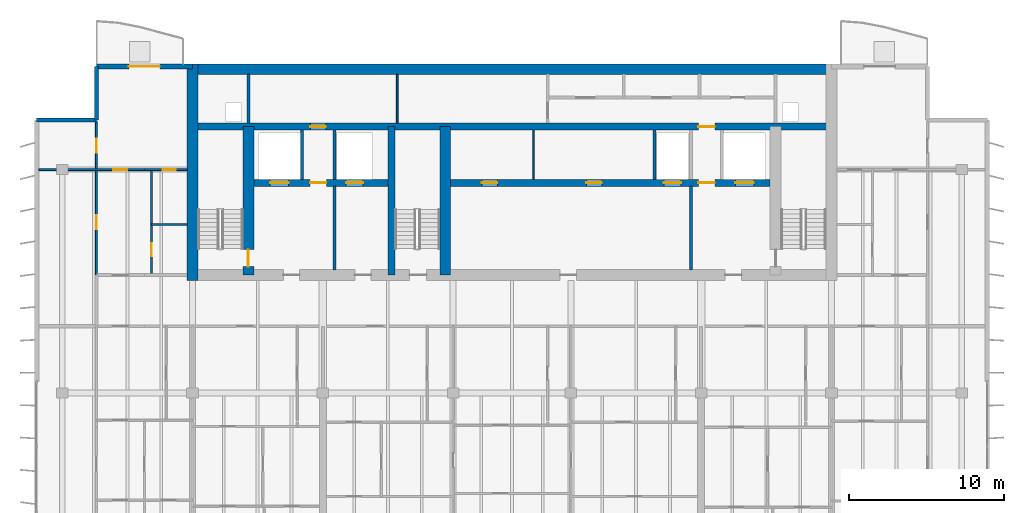
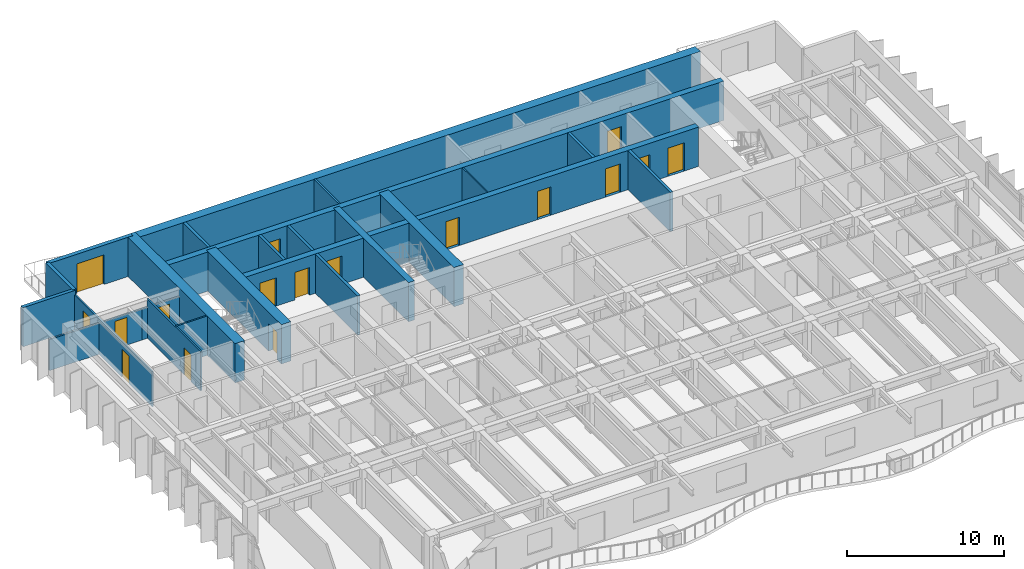
# One storey, part 10 of 17: 23 walls, 17 doors, 17 openings.
"""IFC4 building model written with IfcOpenShell, lengths in metres."""

from ifc_helpers import new_model, si_unit, direction, frame, frame_2d, origin, place, context, subcontext, project, spatial, rectangle, extrude, material, layer, layer_set, type_object, element, fill, save


model = new_model("IFC4")

# Units and contexts
model_context = context("Model", 3, precision=1e-05, world=origin(), true_north=direction((0.0, 1.0)))
body_context = subcontext(model_context, "Body", "Model", "MODEL_VIEW")
ifc_project = project(units=[si_unit("LENGTHUNIT", "METRE"), si_unit("AREAUNIT", "SQUARE_METRE"), si_unit("VOLUMEUNIT", "CUBIC_METRE"), si_unit("PLANEANGLEUNIT", "RADIAN"), si_unit("MASSUNIT", "GRAM", prefix="KILO")], contexts=[model_context])

# Site, building, storey
site_placement = place(None, origin())
site = spatial("IfcSite", under=ifc_project, at=site_placement, CompositionType="ELEMENT")
building_placement = place(site_placement, origin())
building = spatial("IfcBuilding", under=site, at=building_placement, Name="Caelmar Bay Residences", CompositionType="ELEMENT")
storey_placement = place(building_placement, frame((0.0, 0.0, 246.300048828125)))
storey = spatial("IfcBuildingStorey", under=building, at=storey_placement, Name="L69", CompositionType="ELEMENT", Elevation=246.300048828125)

# Wall
ifc_material_1 = material(Name="Concrete f'c 55 MPa (8,000 psi)", Category="concrete")
ifc_layer_1 = layer(ifc_material_1, 0.699951171875)
ifc_layer_set_1 = layer_set([ifc_layer_1], Name="Concrete f'c 55 MPa (8,000 psi)")
wall_type_1 = type_object("IfcWallType", Name="SW-COR-700", PredefinedType="SHEAR", material=ifc_layer_set_1)
wall_1_placement = place(storey_placement, frame((18.300048828125, 36.64990234375, 0.0), z_axis=(0.0, 0.0, 1.0), x_axis=(0.0, 1.0, 0.0)))
element("IfcWall", 1, at=wall_1_placement, inside=storey, type_object=wall_type_1, Name="L69 Rear Core West Shear Wall", PredefinedType="SHEAR", context=body_context, shape_type="SweptSolid", body=[
    extrude(rectangle(XDim=13.9501953125, YDim=0.699951171875, at=frame_2d((6.97509765625, 0.0))), origin(), (0.0, 0.0, 1.0), 3.050048828125),
])

# Wall, opening, door
wall_2_placement = place(storey_placement, frame((21.89990234375, 37.0, 0.0), z_axis=(0.0, 0.0, 1.0), x_axis=(0.0, 1.0, 0.0)))
wall_2 = element("IfcWall", 2, at=wall_2_placement, inside=storey, type_object=wall_type_1, Name="L69 Core Structural Web Wall ST1E", PredefinedType="SHEAR", context=body_context, shape_type="SweptSolid", body=[
    extrude(rectangle(XDim=9.574951171875, YDim=0.699951171875, at=frame_2d((4.78759765625, 0.0))), origin(), (0.0, 0.0, 1.0), 3.050048828125),
])
opening_1_placement = place(wall_2_placement, frame((0.550048828125, 0.0, 0.0)))
opening_1 = element("IfcOpeningElement", 3, at=opening_1_placement, cuts=wall_2, Name="Opening D-L69-107", PredefinedType="OPENING", context=body_context, shape_type="SweptSolid", body=[
    extrude(rectangle(XDim=1.10009765625, YDim=2.14990234375, at=frame_2d((0.550048828125, 1.074951171875))), frame((0.0, 0.35986328125, 0.0), z_axis=(0.0, -1.0, 0.0), x_axis=(1.0, 0.0, 0.0)), (0.0, 0.0, 1.0), 0.719970703125),
])
ifc_material_2 = material(Name="Fire-rated steel and walnut architectural door assembly", Category="steel")
ifc_layer_2 = layer(ifc_material_2, 0.050048828125)
ifc_layer_set_2 = layer_set([ifc_layer_2], Name="Fire-rated steel and walnut architectural door assembly")
door_type_1 = type_object("IfcDoorType", Name="D-STAIR-1100", OperationType="NOTDEFINED", PredefinedType="DOOR", material=ifc_layer_set_2)
door_1_placement = place(opening_1_placement, origin())
door_1 = element("IfcDoor", 4, at=door_1_placement, inside=storey, type_object=door_type_1, Name="L69 Firefighting Lobby West Door", OperationType="SINGLE_SWING_RIGHT", OverallHeight=2.14990234375, OverallWidth=1.10009765625, PredefinedType="DOOR", context=body_context, shape_type="SweptSolid", body=[
    extrude(rectangle(XDim=1.10009765625, YDim=2.14990234375, at=frame_2d((0.550048828125, 1.074951171875))), frame((0.0, 0.02490234375, 0.0), z_axis=(0.0, -1.0, 0.0), x_axis=(1.0, 0.0, 0.0)), (0.0, 0.0, 1.0), 0.050048828125),
])
fill(opening_1, door_1)

# Walls
wall_3_placement = place(storey_placement, frame((34.60009765625, 37.0, 0.0), z_axis=(0.0, 0.0, 1.0), x_axis=(0.0, 1.0, 0.0)))
element("IfcWall", 5, at=wall_3_placement, inside=storey, type_object=wall_type_1, Name="L69 Core Structural Web Wall ST3E", PredefinedType="SHEAR", context=body_context, shape_type="SweptSolid", body=[
    extrude(rectangle(XDim=9.574951171875, YDim=0.699951171875, at=frame_2d((4.78759765625, 0.0))), origin(), (0.0, 0.0, 1.0), 3.050048828125),
])
ifc_layer_3 = layer(ifc_material_1, 0.64990234375)
ifc_layer_set_3 = layer_set([ifc_layer_3], Name="Concrete f'c 55 MPa (8,000 psi)")
wall_type_2 = type_object("IfcWallType", Name="SW-CORN-650", PredefinedType="SHEAR", material=ifc_layer_set_3)
wall_4_placement = place(storey_placement, frame((17.949951171875, 50.27490234375, 0.0), z_axis=(0.0, 0.0, 1.0), x_axis=(1.0, 0.0, 0.0)))
element("IfcWall", 6, at=wall_4_placement, inside=storey, type_object=wall_type_2, Name="L69 Rear Core North Shear Wall", PredefinedType="SHEAR", context=body_context, shape_type="SweptSolid", body=[
    extrude(rectangle(XDim=41.900146484375, YDim=0.64990234375, at=frame_2d((20.9501953125, 0.0))), origin(), (0.0, 0.0, 1.0), 3.050048828125),
])
ifc_material_3 = material(Name="Concrete f'c 70 MPa (10,000 psi)", Category="concrete")
ifc_layer_4 = layer(ifc_material_3, 0.449951171875)
ifc_layer_set_4 = layer_set([ifc_layer_4], Name="Concrete f'c 70 MPa (10,000 psi)")
wall_type_3 = type_object("IfcWallType", Name="SW-WEB-450", PredefinedType="SHEAR", material=ifc_layer_set_4)
wall_5_placement = place(storey_placement, frame((31.125, 37.0, 0.0), z_axis=(0.0, 0.0, 1.0), x_axis=(0.0, 1.0, 0.0)))
element("IfcWall", 7, at=wall_5_placement, inside=storey, type_object=wall_type_3, Name="L69 Core Structural Web Wall ST3W", PredefinedType="SHEAR", context=body_context, shape_type="SweptSolid", body=[
    extrude(rectangle(XDim=9.574951171875, YDim=0.449951171875, at=frame_2d((4.78759765625, 0.0))), origin(), (0.0, 0.0, 1.0), 3.050048828125),
])

# Wall, openings, doors
wall_6_placement = place(storey_placement, frame((22.25, 42.949951171875, 0.0), z_axis=(0.0, 0.0, 1.0), x_axis=(1.0, 0.0, 0.0)))
wall_6 = element("IfcWall", 8, at=wall_6_placement, inside=storey, type_object=wall_type_3, Name="L69 Core Structural Web Wall LFR", PredefinedType="SHEAR", context=body_context, shape_type="SweptSolid", body=[
    extrude(rectangle(XDim=33.300048828125, YDim=0.449951171875, at=frame_2d((16.64990234375, 0.0))), origin(), (0.0, 0.0, 1.0), 3.050048828125),
])
opening_2_placement = place(wall_6_placement, frame((1.050048828125, 0.0, 0.0)))
opening_2 = element("IfcOpeningElement", 9, at=opening_2_placement, cuts=wall_6, Name="Opening LD2", PredefinedType="OPENING", context=body_context, shape_type="SweptSolid", body=[
    extrude(rectangle(XDim=1.199951171875, YDim=2.199951171875, at=frame_2d((0.60009765625, 1.10009765625))), frame((0.0, 0.23486328125, 0.0), z_axis=(0.0, -1.0, 0.0), x_axis=(1.0, 0.0, 0.0)), (0.0, 0.0, 1.0), 0.469970703125),
])
opening_3_placement = place(wall_6_placement, frame((31.050048828125, 0.0, 0.0)))
opening_3 = element("IfcOpeningElement", 10, at=opening_3_placement, cuts=wall_6, Name="Opening LD2", PredefinedType="OPENING", context=body_context, shape_type="SweptSolid", body=[
    extrude(rectangle(XDim=1.199951171875, YDim=2.199951171875, at=frame_2d((0.60009765625, 1.10009765625))), frame((0.0, 0.23486328125, 0.0), z_axis=(0.0, -1.0, 0.0), x_axis=(1.0, 0.0, 0.0)), (0.0, 0.0, 1.0), 0.469970703125),
])
opening_4_placement = place(wall_6_placement, frame((26.449951171875, 0.0, 0.0)))
opening_4 = element("IfcOpeningElement", 11, at=opening_4_placement, cuts=wall_6, Name="Opening LD1", PredefinedType="OPENING", context=body_context, shape_type="SweptSolid", body=[
    extrude(rectangle(XDim=1.10009765625, YDim=2.199951171875, at=frame_2d((0.550048828125, 1.10009765625))), frame((0.0, 0.23486328125, 0.0), z_axis=(0.0, -1.0, 0.0), x_axis=(1.0, 0.0, 0.0)), (0.0, 0.0, 1.0), 0.469970703125),
])
opening_5_placement = place(wall_6_placement, frame((5.949951171875, 0.0, 0.0)))
opening_5 = element("IfcOpeningElement", 12, at=opening_5_placement, cuts=wall_6, Name="Opening LD1", PredefinedType="OPENING", context=body_context, shape_type="SweptSolid", body=[
    extrude(rectangle(XDim=1.10009765625, YDim=2.199951171875, at=frame_2d((0.550048828125, 1.10009765625))), frame((0.0, 0.23486328125, 0.0), z_axis=(0.0, -1.0, 0.0), x_axis=(1.0, 0.0, 0.0)), (0.0, 0.0, 1.0), 0.469970703125),
])
opening_6_placement = place(wall_6_placement, frame((3.625, 0.0, 0.0)))
opening_6 = element("IfcOpeningElement", 13, at=opening_6_placement, cuts=wall_6, Name="Opening D-L69-108", PredefinedType="OPENING", context=body_context, shape_type="SweptSolid", body=[
    extrude(rectangle(XDim=1.050048828125, YDim=2.14990234375, at=frame_2d((0.52490234375, 1.074951171875))), frame((0.0, 0.23486328125, 0.0), z_axis=(0.0, -1.0, 0.0), x_axis=(1.0, 0.0, 0.0)), (0.0, 0.0, 1.0), 0.469970703125),
])
opening_7_placement = place(wall_6_placement, frame((28.675048828125, 0.0, 0.0)))
opening_7 = element("IfcOpeningElement", 14, at=opening_7_placement, cuts=wall_6, Name="Opening D-L69-111", PredefinedType="OPENING", context=body_context, shape_type="SweptSolid", body=[
    extrude(rectangle(XDim=1.050048828125, YDim=2.14990234375, at=frame_2d((0.52490234375, 1.074951171875))), frame((0.0, 0.23486328125, 0.0), z_axis=(0.0, -1.0, 0.0), x_axis=(1.0, 0.0, 0.0)), (0.0, 0.0, 1.0), 0.469970703125),
])
opening_8_placement = place(wall_6_placement, frame((14.699951171875, 0.0, 0.0)))
opening_8 = element("IfcOpeningElement", 15, at=opening_8_placement, cuts=wall_6, Name="Opening D-L69-114", PredefinedType="OPENING", context=body_context, shape_type="SweptSolid", body=[
    extrude(rectangle(XDim=1.0, YDim=2.199951171875, at=frame_2d((0.5, 1.10009765625))), frame((0.0, 0.23486328125, 0.0), z_axis=(0.0, -1.0, 0.0), x_axis=(1.0, 0.0, 0.0)), (0.0, 0.0, 1.0), 0.469970703125),
])
opening_9_placement = place(wall_6_placement, frame((21.449951171875, 0.0, 0.0)))
opening_9 = element("IfcOpeningElement", 16, at=opening_9_placement, cuts=wall_6, Name="Opening D-L69-115", PredefinedType="OPENING", context=body_context, shape_type="SweptSolid", body=[
    extrude(rectangle(XDim=1.0, YDim=2.199951171875, at=frame_2d((0.5, 1.10009765625))), frame((0.0, 0.23486328125, 0.0), z_axis=(0.0, -1.0, 0.0), x_axis=(1.0, 0.0, 0.0)), (0.0, 0.0, 1.0), 0.469970703125),
])
ifc_layer_5 = layer(ifc_material_2, 0.050048828125)
ifc_layer_set_5 = layer_set([ifc_layer_5], Name="Fire-rated steel and walnut architectural door assembly")
door_type_2 = type_object("IfcDoorType", Name="D-FSAE-1050", OperationType="NOTDEFINED", PredefinedType="DOOR", material=ifc_layer_set_5)
door_2_placement = place(opening_6_placement, origin())
door_2 = element("IfcDoor", 17, at=door_2_placement, inside=storey, type_object=door_type_2, Name="L69 Firefighting Lobby West Door", OperationType="SINGLE_SWING_LEFT", OverallHeight=2.14990234375, OverallWidth=1.050048828125, PredefinedType="DOOR", context=body_context, shape_type="SweptSolid", body=[
    extrude(rectangle(XDim=1.050048828125, YDim=2.14990234375, at=frame_2d((0.52490234375, 1.074951171875))), frame((0.0, 0.02490234375, 0.0), z_axis=(0.0, -1.0, 0.0), x_axis=(1.0, 0.0, 0.0)), (0.0, 0.0, 1.0), 0.050048828125),
])
fill(opening_6, door_2)
door_3_placement = place(opening_7_placement, origin())
door_3 = element("IfcDoor", 18, at=door_3_placement, inside=storey, type_object=door_type_2, Name="L69 Firefighting Lobby East Door", OperationType="SINGLE_SWING_RIGHT", OverallHeight=2.14990234375, OverallWidth=1.050048828125, PredefinedType="DOOR", context=body_context, shape_type="SweptSolid", body=[
    extrude(rectangle(XDim=1.050048828125, YDim=2.14990234375, at=frame_2d((0.52490234375, 1.074951171875))), frame((0.0, 0.02490234375, 0.0), z_axis=(0.0, -1.0, 0.0), x_axis=(1.0, 0.0, 0.0)), (0.0, 0.0, 1.0), 0.050048828125),
])
fill(opening_7, door_3)
ifc_material_4 = material(Name="Brushed bronze stainless-steel fire-rated lift landing doors", Category="steel")
ifc_layer_6 = layer(ifc_material_4, 0.050048828125)
ifc_layer_set_6 = layer_set([ifc_layer_6], Name="Brushed bronze stainless-steel fire-rated lift landing doors")
door_type_3 = type_object("IfcDoorType", Name="D-LND-1100", OperationType="DOUBLE_DOOR_SLIDING", PredefinedType="DOOR", material=ifc_layer_set_6)
door_4_placement = place(opening_4_placement, origin())
door_4 = element("IfcDoor", 19, at=door_4_placement, inside=storey, type_object=door_type_3, Name="L69 LP6 Sliding Landing Door", OperationType="DOUBLE_DOOR_SLIDING", OverallHeight=2.199951171875, OverallWidth=1.10009765625, PredefinedType="DOOR", context=body_context, shape_type="SweptSolid", body=[
    extrude(rectangle(XDim=1.10009765625, YDim=2.199951171875, at=frame_2d((0.550048828125, 1.10009765625))), frame((0.0, 0.02490234375, 0.0), z_axis=(0.0, -1.0, 0.0), x_axis=(1.0, 0.0, 0.0)), (0.0, 0.0, 1.0), 0.050048828125),
])
fill(opening_4, door_4)
door_5_placement = place(opening_5_placement, origin())
door_5 = element("IfcDoor", 20, at=door_5_placement, inside=storey, type_object=door_type_3, Name="L69 LP7 Sliding Landing Door", OperationType="DOUBLE_DOOR_SLIDING", OverallHeight=2.199951171875, OverallWidth=1.10009765625, PredefinedType="DOOR", context=body_context, shape_type="SweptSolid", body=[
    extrude(rectangle(XDim=1.10009765625, YDim=2.199951171875, at=frame_2d((0.550048828125, 1.10009765625))), frame((0.0, 0.02490234375, 0.0), z_axis=(0.0, -1.0, 0.0), x_axis=(1.0, 0.0, 0.0)), (0.0, 0.0, 1.0), 0.050048828125),
])
fill(opening_5, door_5)
ifc_material_5 = material(Name="Brushed stainless-steel FSAE sliding landing door", Category="steel")
ifc_layer_7 = layer(ifc_material_5, 0.050048828125)
ifc_layer_set_7 = layer_set([ifc_layer_7], Name="Brushed stainless-steel FSAE sliding landing door")
door_type_4 = type_object("IfcDoorType", Name="D-LND-1200", OperationType="DOUBLE_DOOR_SLIDING", PredefinedType="DOOR", material=ifc_layer_set_7)
door_6_placement = place(opening_2_placement, origin())
door_6 = element("IfcDoor", 21, at=door_6_placement, inside=storey, type_object=door_type_4, Name="L69 LF1 Sliding Landing Door", OperationType="DOUBLE_DOOR_SLIDING", OverallHeight=2.199951171875, OverallWidth=1.199951171875, PredefinedType="DOOR", context=body_context, shape_type="SweptSolid", body=[
    extrude(rectangle(XDim=1.199951171875, YDim=2.199951171875, at=frame_2d((0.60009765625, 1.10009765625))), frame((0.0, 0.02490234375, 0.0), z_axis=(0.0, -1.0, 0.0), x_axis=(1.0, 0.0, 0.0)), (0.0, 0.0, 1.0), 0.050048828125),
])
fill(opening_2, door_6)
door_7_placement = place(opening_3_placement, origin())
door_7 = element("IfcDoor", 22, at=door_7_placement, inside=storey, type_object=door_type_4, Name="L69 LF2 Sliding Landing Door", OperationType="DOUBLE_DOOR_SLIDING", OverallHeight=2.199951171875, OverallWidth=1.199951171875, PredefinedType="DOOR", context=body_context, shape_type="SweptSolid", body=[
    extrude(rectangle(XDim=1.199951171875, YDim=2.199951171875, at=frame_2d((0.60009765625, 1.10009765625))), frame((0.0, 0.02490234375, 0.0), z_axis=(0.0, -1.0, 0.0), x_axis=(1.0, 0.0, 0.0)), (0.0, 0.0, 1.0), 0.050048828125),
])
fill(opening_3, door_7)
ifc_layer_8 = layer(ifc_material_2, 0.050048828125)
ifc_layer_set_8 = layer_set([ifc_layer_8], Name="Fire-rated steel and walnut architectural door assembly")
door_type_5 = type_object("IfcDoorType", Name="D-UNIT-1000", OperationType="NOTDEFINED", PredefinedType="DOOR", material=ifc_layer_set_8)
door_8_placement = place(opening_8_placement, origin())
door_8 = element("IfcDoor", 23, at=door_8_placement, inside=storey, type_object=door_type_5, Name="L69 Executive Study Door", OperationType="SINGLE_SWING_LEFT", OverallHeight=2.199951171875, OverallWidth=1.0, PredefinedType="DOOR", context=body_context, shape_type="SweptSolid", body=[
    extrude(rectangle(XDim=1.0, YDim=2.199951171875, at=frame_2d((0.5, 1.10009765625))), frame((0.0, 0.02490234375, 0.0), z_axis=(0.0, -1.0, 0.0), x_axis=(1.0, 0.0, 0.0)), (0.0, 0.0, 1.0), 0.050048828125),
])
fill(opening_8, door_8)
door_9_placement = place(opening_9_placement, origin())
door_9 = element("IfcDoor", 24, at=door_9_placement, inside=storey, type_object=door_type_5, Name="L69 Residents Reading Lounge Door", OperationType="SINGLE_SWING_RIGHT", OverallHeight=2.199951171875, OverallWidth=1.0, PredefinedType="DOOR", context=body_context, shape_type="SweptSolid", body=[
    extrude(rectangle(XDim=1.0, YDim=2.199951171875, at=frame_2d((0.5, 1.10009765625))), frame((0.0, 0.02490234375, 0.0), z_axis=(0.0, -1.0, 0.0), x_axis=(1.0, 0.0, 0.0)), (0.0, 0.0, 1.0), 0.050048828125),
])
fill(opening_9, door_9)

wall_7_placement = place(storey_placement, frame((18.300048828125, 46.574951171875, 0.0), z_axis=(0.0, 0.0, 1.0), x_axis=(1.0, 0.0, 0.0)))
wall_7 = element("IfcWall", 25, at=wall_7_placement, inside=storey, type_object=wall_type_3, Name="L69 Core Structural Web Wall SRVS", PredefinedType="SHEAR", context=body_context, shape_type="SweptSolid", body=[
    extrude(rectangle(XDim=41.199951171875, YDim=0.449951171875, at=frame_2d((20.60009765625, 0.0))), origin(), (0.0, 0.0, 1.0), 3.050048828125),
])
opening_10_placement = place(wall_7_placement, frame((7.60009765625, 0.0, 0.0)))
opening_10 = element("IfcOpeningElement", 26, at=opening_10_placement, cuts=wall_7, Name="Opening D-L69-116", PredefinedType="OPENING", context=body_context, shape_type="SweptSolid", body=[
    extrude(rectangle(XDim=1.0, YDim=2.199951171875, at=frame_2d((0.5, 1.10009765625))), frame((0.0, 0.23486328125, 0.0), z_axis=(0.0, -1.0, 0.0), x_axis=(1.0, 0.0, 0.0)), (0.0, 0.0, 1.0), 0.469970703125),
])
opening_11_placement = place(wall_7_placement, frame((32.625, 0.0, 0.0)))
opening_11 = element("IfcOpeningElement", 27, at=opening_11_placement, cuts=wall_7, Name="Opening D-L69-117", PredefinedType="OPENING", context=body_context, shape_type="SweptSolid", body=[
    extrude(rectangle(XDim=1.050048828125, YDim=2.14990234375, at=frame_2d((0.52490234375, 1.074951171875))), frame((0.0, 0.23486328125, 0.0), z_axis=(0.0, -1.0, 0.0), x_axis=(1.0, 0.0, 0.0)), (0.0, 0.0, 1.0), 0.469970703125),
])
door_10_placement = place(opening_11_placement, origin())
door_10 = element("IfcDoor", 28, at=door_10_placement, inside=storey, type_object=door_type_2, Name="L69 East Core Service Corridor Door", OperationType="SINGLE_SWING_RIGHT", OverallHeight=2.14990234375, OverallWidth=1.050048828125, PredefinedType="DOOR", context=body_context, shape_type="SweptSolid", body=[
    extrude(rectangle(XDim=1.050048828125, YDim=2.14990234375, at=frame_2d((0.52490234375, 1.074951171875))), frame((0.0, 0.02490234375, 0.0), z_axis=(0.0, -1.0, 0.0), x_axis=(1.0, 0.0, 0.0)), (0.0, 0.0, 1.0), 0.050048828125),
])
fill(opening_11, door_10)
door_11_placement = place(opening_10_placement, origin())
door_11 = element("IfcDoor", 29, at=door_11_placement, inside=storey, type_object=door_type_5, Name="L69 Package Concierge Office Door", OperationType="SINGLE_SWING_LEFT", OverallHeight=2.199951171875, OverallWidth=1.0, PredefinedType="DOOR", context=body_context, shape_type="SweptSolid", body=[
    extrude(rectangle(XDim=1.0, YDim=2.199951171875, at=frame_2d((0.5, 1.10009765625))), frame((0.0, 0.02490234375, 0.0), z_axis=(0.0, -1.0, 0.0), x_axis=(1.0, 0.0, 0.0)), (0.0, 0.0, 1.0), 0.050048828125),
])
fill(opening_10, door_11)

# Walls
ifc_material_6 = material(Name="Precast concrete f'c 40 MPa (6,000 psi)", Category="concrete")
ifc_layer_9 = layer(ifc_material_6, 0.25)
ifc_layer_set_9 = layer_set([ifc_layer_9], Name="Precast concrete f'c 40 MPa (6,000 psi)")
wall_type_4 = type_object("IfcWallType", Name="W-EXT-250", PredefinedType="ELEMENTEDWALL", material=ifc_layer_set_9)
wall_8_placement = place(storey_placement, frame((8.25, 47.0, 0.0), z_axis=(0.0, 0.0, 1.0), x_axis=(1.0, 0.0, 0.0)))
element("IfcWall", 30, at=wall_8_placement, inside=storey, type_object=wall_type_4, Name="L69 NNW-H Notch Wall", PredefinedType="ELEMENTEDWALL", context=body_context, shape_type="SweptSolid", body=[
    extrude(rectangle(XDim=3.85009765625, YDim=0.25, at=frame_2d((1.925048828125, 0.0))), origin(), (0.0, 0.0, 1.0), 3.050048828125),
])
wall_9_placement = place(storey_placement, frame((12.10009765625, 47.0, 0.0), z_axis=(0.0, 0.0, 1.0), x_axis=(0.0, 1.0, 0.0)))
element("IfcWall", 31, at=wall_9_placement, inside=storey, type_object=wall_type_4, Name="L69 NNW-V Notch Wall", PredefinedType="ELEMENTEDWALL", context=body_context, shape_type="SweptSolid", body=[
    extrude(rectangle(XDim=3.449951171875, YDim=0.25, at=frame_2d((1.72509765625, 0.0))), origin(), (0.0, 0.0, 1.0), 3.050048828125),
])

# Wall, opening, door
ifc_layer_10 = layer(ifc_material_6, 0.300048828125)
ifc_layer_set_10 = layer_set([ifc_layer_10], Name="Precast concrete f'c 40 MPa (6,000 psi)")
wall_type_5 = type_object("IfcWallType", Name="W-EXT-300", PredefinedType="STANDARD", material=ifc_layer_set_10)
wall_10_placement = place(storey_placement, frame((12.10009765625, 50.449951171875, 0.0), z_axis=(0.0, 0.0, 1.0), x_axis=(1.0, 0.0, 0.0)))
wall_10 = element("IfcWall", 32, at=wall_10_placement, inside=storey, type_object=wall_type_5, Name="L69 North-West Wing Exterior Wall", PredefinedType="STANDARD", context=body_context, shape_type="SweptSolid", body=[
    extrude(rectangle(XDim=6.199951171875, YDim=0.300048828125, at=frame_2d((3.10009765625, 0.0))), origin(), (0.0, 0.0, 1.0), 3.050048828125),
])
opening_12_placement = place(wall_10_placement, frame((2.10009765625, 0.0, 0.0)))
opening_12 = element("IfcOpeningElement", 33, at=opening_12_placement, cuts=wall_10, Name="Opening L69-BDNW", PredefinedType="OPENING", context=body_context, shape_type="SweptSolid", body=[
    extrude(rectangle(XDim=2.0, YDim=2.300048828125, at=frame_2d((1.0, 1.14990234375))), frame((0.0, 0.159912109375, 0.0), z_axis=(0.0, -1.0, 0.0), x_axis=(1.0, 0.0, 0.0)), (0.0, 0.0, 1.0), 0.320068359375),
])
ifc_material_7 = material(Name="Anodised bronze thermally broken sliding glass door", Category="glass")
ifc_layer_11 = layer(ifc_material_7, 0.050048828125)
ifc_layer_set_11 = layer_set([ifc_layer_11], Name="Anodised bronze thermally broken sliding glass door")
door_type_6 = type_object("IfcDoorType", Name="D-BAL-2000", OperationType="DOUBLE_DOOR_SLIDING", PredefinedType="DOOR", material=ifc_layer_set_11)
door_12_placement = place(opening_12_placement, origin())
door_12 = element("IfcDoor", 34, at=door_12_placement, inside=storey, type_object=door_type_6, Name="L69 North-West Balcony Door", OperationType="DOUBLE_DOOR_SLIDING", OverallHeight=2.300048828125, OverallWidth=2.0, PredefinedType="DOOR", context=body_context, shape_type="SweptSolid", body=[
    extrude(rectangle(XDim=2.0, YDim=2.300048828125, at=frame_2d((1.0, 1.14990234375))), frame((0.0, 0.02490234375, 0.0), z_axis=(0.0, -1.0, 0.0), x_axis=(1.0, 0.0, 0.0)), (0.0, 0.0, 1.0), 0.050048828125),
])
fill(opening_12, door_12)

# Walls
ifc_material_8 = material(Name="Fire-rated masonry and gypsum shaftliner assembly 200 mm", Category="masonry")
ifc_layer_12 = layer(ifc_material_8, 0.199951171875)
ifc_layer_set_12 = layer_set([ifc_layer_12], Name="Fire-rated masonry and gypsum shaftliner assembly 200 mm")
wall_type_6 = type_object("IfcWallType", Name="W-FSAE-200", PredefinedType="PARTITIONING", material=ifc_layer_set_12)
wall_11_placement = place(storey_placement, frame((21.89990234375, 46.794921875, 0.0), z_axis=(0.0, 0.0, 1.0), x_axis=(0.0, 1.0, 0.0)))
element("IfcWall", 35, at=wall_11_placement, inside=storey, type_object=wall_type_6, Name="L69 Partition Wall V021", PredefinedType="PARTITIONING", context=body_context, shape_type="SweptSolid", body=[
    extrude(rectangle(XDim=3.16015625, YDim=0.199951171875, at=frame_2d((1.580078125, 0.0))), origin(), (0.0, 0.0, 1.0), 3.050048828125),
])
wall_12_placement = place(storey_placement, frame((25.35009765625, 43.169921875, 0.0), z_axis=(0.0, 0.0, 1.0), x_axis=(0.0, 1.0, 0.0)))
element("IfcWall", 36, at=wall_12_placement, inside=storey, type_object=wall_type_6, Name="L69 Partition Wall V028", PredefinedType="PARTITIONING", context=body_context, shape_type="SweptSolid", body=[
    extrude(rectangle(XDim=3.18505859375, YDim=0.199951171875, at=frame_2d((1.592529296875, 0.0))), origin(), (0.0, 0.0, 1.0), 3.050048828125),
])
wall_13_placement = place(storey_placement, frame((27.449951171875, 37.344970703125, 0.0), z_axis=(0.0, 0.0, 1.0), x_axis=(0.0, 1.0, 0.0)))
element("IfcWall", 37, at=wall_13_placement, inside=storey, type_object=wall_type_6, Name="L69 Partition Wall V032", PredefinedType="PARTITIONING", context=body_context, shape_type="SweptSolid", body=[
    extrude(rectangle(XDim=5.385009765625, YDim=0.199951171875, at=frame_2d((2.6923828125, 0.0))), origin(), (0.0, 0.0, 1.0), 3.050048828125),
])
for number, where, z_axis, x_axis, name in (
    (38, (27.449951171875, 43.169921875, 0.0), (0.0, 0.0, 1.0), (0.0, 1.0, 0.0), "L69 Partition Wall V033"),
    (39, (48.10009765625, 43.169921875, 0.0), (0.0, 0.0, 1.0), (0.0, 1.0, 0.0), "L69 Partition Wall V055"),
):
    element("IfcWall", number, at=place(storey_placement, frame(where, z_axis=z_axis, x_axis=x_axis)), inside=storey, type_object=wall_type_6, Name=name, PredefinedType="PARTITIONING", context=body_context, shape_type="SweptSolid", body=[
        extrude(rectangle(XDim=3.18505859375, YDim=0.199951171875, at=frame_2d((1.592529296875, 0.0))), origin(), (0.0, 0.0, 1.0), 3.050048828125),
    ])
wall_14_placement = place(storey_placement, frame((50.449951171875, 37.344970703125, 0.0), z_axis=(0.0, 0.0, 1.0), x_axis=(0.0, 1.0, 0.0)))
element("IfcWall", 40, at=wall_14_placement, inside=storey, type_object=wall_type_6, Name="L69 Partition Wall V057", PredefinedType="PARTITIONING", context=body_context, shape_type="SweptSolid", body=[
    extrude(rectangle(XDim=5.385009765625, YDim=0.199951171875, at=frame_2d((2.6923828125, 0.0))), origin(), (0.0, 0.0, 1.0), 3.050048828125),
])
ifc_material_9 = material(Name="Anodised bronze framed acoustic sliding study partition 100 mm")
ifc_layer_13 = layer(ifc_material_9, 0.10009765625)
ifc_layer_set_13 = layer_set([ifc_layer_13], Name="Anodised bronze framed acoustic sliding study partition 100 mm")
wall_type_7 = type_object("IfcWallType", Name="W-MOV-100", PredefinedType="MOVABLE", material=ifc_layer_set_13)
wall_15_placement = place(storey_placement, frame((40.300048828125, 43.169921875, 0.0), z_axis=(0.0, 0.0, 1.0), x_axis=(0.0, 1.0, 0.0)))
element("IfcWall", 41, at=wall_15_placement, inside=storey, type_object=wall_type_7, Name="L69 Partition Wall V044", PredefinedType="MOVABLE", context=body_context, shape_type="SweptSolid", body=[
    extrude(rectangle(XDim=3.18505859375, YDim=0.10009765625, at=frame_2d((1.592529296875, 0.0))), origin(), (0.0, 0.0, 1.0), 3.050048828125),
])

# Wall, openings, doors
ifc_material_10 = material(Name="Acoustic metal-stud gypsum partition 120 mm")
ifc_layer_14 = layer(ifc_material_10, 0.1201171875)
ifc_layer_set_14 = layer_set([ifc_layer_14], Name="Acoustic metal-stud gypsum partition 120 mm")
wall_type_8 = type_object("IfcWallType", Name="W-PRT-120", PredefinedType="PARTITIONING", material=ifc_layer_set_14)
wall_16_placement = place(storey_placement, frame((12.10009765625, 37.0048828125, 0.0), z_axis=(0.0, 0.0, 1.0), x_axis=(0.0, 1.0, 0.0)))
wall_16 = element("IfcWall", 42, at=wall_16_placement, inside=storey, type_object=wall_type_8, Name="L69 Partition Wall V007", PredefinedType="PARTITIONING", context=body_context, shape_type="SweptSolid", body=[
    extrude(rectangle(XDim=9.875, YDim=0.1201171875, at=frame_2d((4.9375, 0.0))), origin(), (0.0, 0.0, 1.0), 2.724853515625),
])
opening_13_placement = place(wall_16_placement, frame((2.947509765625, 0.0, 0.0)))
opening_13 = element("IfcOpeningElement", 43, at=opening_13_placement, cuts=wall_16, Name="Opening D-L69-166", PredefinedType="OPENING", context=body_context, shape_type="SweptSolid", body=[
    extrude(rectangle(XDim=0.89990234375, YDim=2.14990234375, at=frame_2d((0.449951171875, 1.074951171875))), frame((0.0, 0.070068359375, 0.0), z_axis=(0.0, -1.0, 0.0), x_axis=(1.0, 0.0, 0.0)), (0.0, 0.0, 1.0), 0.14013671875),
])
opening_14_placement = place(wall_16_placement, frame((7.885009765625, 0.0, 0.0)))
opening_14 = element("IfcOpeningElement", 44, at=opening_14_placement, cuts=wall_16, Name="Opening D-L69-167", PredefinedType="OPENING", context=body_context, shape_type="SweptSolid", body=[
    extrude(rectangle(XDim=0.89990234375, YDim=2.14990234375, at=frame_2d((0.449951171875, 1.074951171875))), frame((0.0, 0.070068359375, 0.0), z_axis=(0.0, -1.0, 0.0), x_axis=(1.0, 0.0, 0.0)), (0.0, 0.0, 1.0), 0.14013671875),
])
ifc_material_11 = material(Name="Solid walnut timber interior door leaf and frame", Category="wood")
ifc_layer_15 = layer(ifc_material_11, 0.050048828125)
ifc_layer_set_15 = layer_set([ifc_layer_15], Name="Solid walnut timber interior door leaf and frame")
door_type_7 = type_object("IfcDoorType", Name="D-ROOM-900", OperationType="NOTDEFINED", PredefinedType="DOOR", material=ifc_layer_set_15)
door_13_placement = place(opening_13_placement, origin())
door_13 = element("IfcDoor", 45, at=door_13_placement, inside=storey, type_object=door_type_7, Name="L69 Residence WA Sun Study Door", OperationType="SINGLE_SWING_LEFT", OverallHeight=2.14990234375, OverallWidth=0.89990234375, PredefinedType="DOOR", context=body_context, shape_type="SweptSolid", body=[
    extrude(rectangle(XDim=0.89990234375, YDim=2.14990234375, at=frame_2d((0.449951171875, 1.074951171875))), frame((0.0, 0.02490234375, 0.0), z_axis=(0.0, -1.0, 0.0), x_axis=(1.0, 0.0, 0.0)), (0.0, 0.0, 1.0), 0.050048828125),
])
fill(opening_13, door_13)
door_14_placement = place(opening_14_placement, origin())
door_14 = element("IfcDoor", 46, at=door_14_placement, inside=storey, type_object=door_type_7, Name="L69 Residence WA North Sitting Alcove Door", OperationType="SINGLE_SWING_RIGHT", OverallHeight=2.14990234375, OverallWidth=0.89990234375, PredefinedType="DOOR", context=body_context, shape_type="SweptSolid", body=[
    extrude(rectangle(XDim=0.89990234375, YDim=2.14990234375, at=frame_2d((0.449951171875, 1.074951171875))), frame((0.0, 0.02490234375, 0.0), z_axis=(0.0, -1.0, 0.0), x_axis=(1.0, 0.0, 0.0)), (0.0, 0.0, 1.0), 0.050048828125),
])
fill(opening_14, door_14)

# Wall, opening, door
wall_17_placement = place(storey_placement, frame((15.64990234375, 37.0, 0.0), z_axis=(0.0, 0.0, 1.0), x_axis=(0.0, 1.0, 0.0)))
wall_17 = element("IfcWall", 47, at=wall_17_placement, inside=storey, type_object=wall_type_8, Name="L69 Partition Wall V013", PredefinedType="PARTITIONING", context=body_context, shape_type="SweptSolid", body=[
    extrude(rectangle(XDim=6.800048828125, YDim=0.1201171875, at=frame_2d((3.39990234375, 0.0))), origin(), (0.0, 0.0, 1.0), 3.050048828125),
])
opening_15_placement = place(wall_17_placement, frame((1.20703125, 0.0, 0.0)))
opening_15 = element("IfcOpeningElement", 48, at=opening_15_placement, cuts=wall_17, Name="Opening D-L69-164", PredefinedType="OPENING", context=body_context, shape_type="SweptSolid", body=[
    extrude(rectangle(XDim=0.85009765625, YDim=2.10009765625, at=frame_2d((0.425048828125, 1.050048828125))), frame((0.0, 0.070068359375, 0.0), z_axis=(0.0, -1.0, 0.0), x_axis=(1.0, 0.0, 0.0)), (0.0, 0.0, 1.0), 0.14013671875),
])
ifc_layer_16 = layer(ifc_material_11, 0.050048828125)
ifc_layer_set_16 = layer_set([ifc_layer_16], Name="Solid walnut timber interior door leaf and frame")
door_type_8 = type_object("IfcDoorType", Name="D-BATH-850", OperationType="NOTDEFINED", PredefinedType="DOOR", material=ifc_layer_set_16)
door_15_placement = place(opening_15_placement, origin())
door_15 = element("IfcDoor", 49, at=door_15_placement, inside=storey, type_object=door_type_8, Name="L69 Residence WA Walk-In Closet Door", OperationType="SINGLE_SWING_LEFT", OverallHeight=2.10009765625, OverallWidth=0.85009765625, PredefinedType="DOOR", context=body_context, shape_type="SweptSolid", body=[
    extrude(rectangle(XDim=0.85009765625, YDim=2.10009765625, at=frame_2d((0.425048828125, 1.050048828125))), frame((0.0, 0.02490234375, 0.0), z_axis=(0.0, -1.0, 0.0), x_axis=(1.0, 0.0, 0.0)), (0.0, 0.0, 1.0), 0.050048828125),
])
fill(opening_15, door_15)

# Walls
wall_18_placement = place(storey_placement, frame((31.5, 46.794921875, 0.0), z_axis=(0.0, 0.0, 1.0), x_axis=(0.0, 1.0, 0.0)))
element("IfcWall", 50, at=wall_18_placement, inside=storey, type_object=wall_type_8, Name="L69 Partition Wall V036", PredefinedType="PARTITIONING", context=body_context, shape_type="SweptSolid", body=[
    extrude(rectangle(XDim=3.16015625, YDim=0.1201171875, at=frame_2d((1.580078125, 0.0))), origin(), (0.0, 0.0, 1.0), 3.050048828125),
])
wall_19_placement = place(storey_placement, frame((15.64990234375, 40.263916015625, 0.0), z_axis=(0.0, 0.0, 1.0), x_axis=(1.0, 0.0, 0.0)))
element("IfcWall", 51, at=wall_19_placement, inside=storey, type_object=wall_type_8, Name="L69 Partition Wall H117", PredefinedType="PARTITIONING", context=body_context, shape_type="SweptSolid", body=[
    extrude(rectangle(XDim=2.30517578125, YDim=0.1201171875, at=frame_2d((1.152587890625, 0.0))), origin(), (0.0, 0.0, 1.0), 3.050048828125),
])

# Wall, opening, door
wall_20_placement = place(storey_placement, frame((8.39501953125, 43.800048828125, 0.0), z_axis=(0.0, 0.0, 1.0), x_axis=(1.0, 0.0, 0.0)))
wall_20 = element("IfcWall", 52, at=wall_20_placement, inside=storey, type_object=wall_type_8, Name="L69 Partition Wall H119", PredefinedType="PARTITIONING", context=body_context, shape_type="SweptSolid", body=[
    extrude(rectangle(XDim=6.802978515625, YDim=0.1201171875, at=frame_2d((3.4013671875, 0.0))), origin(), (0.0, 0.0, 1.0), 2.41796875),
])
opening_16_placement = place(wall_20_placement, frame((4.803955078125, 0.0, 0.0)))
opening_16 = element("IfcOpeningElement", 53, at=opening_16_placement, cuts=wall_20, Name="Opening D-L69-163", PredefinedType="OPENING", context=body_context, shape_type="SweptSolid", body=[
    extrude(rectangle(XDim=0.89990234375, YDim=2.14990234375, at=frame_2d((0.449951171875, 1.074951171875))), frame((0.0, 0.070068359375, 0.0), z_axis=(0.0, -1.0, 0.0), x_axis=(1.0, 0.0, 0.0)), (0.0, 0.0, 1.0), 0.14013671875),
])
door_16_placement = place(opening_16_placement, origin())
door_16 = element("IfcDoor", 54, at=door_16_placement, inside=storey, type_object=door_type_7, Name="L69 Residence WA Studio Living and Sleeping Room Door", OperationType="SINGLE_SWING_RIGHT", OverallHeight=2.14990234375, OverallWidth=0.89990234375, PredefinedType="DOOR", context=body_context, shape_type="SweptSolid", body=[
    extrude(rectangle(XDim=0.89990234375, YDim=2.14990234375, at=frame_2d((0.449951171875, 1.074951171875))), frame((0.0, 0.02490234375, 0.0), z_axis=(0.0, -1.0, 0.0), x_axis=(1.0, 0.0, 0.0)), (0.0, 0.0, 1.0), 0.050048828125),
])
fill(opening_16, door_16)

wall_21_placement = place(storey_placement, frame((15.202880859375, 43.800048828125, 0.0), z_axis=(0.0, 0.0, 1.0), x_axis=(1.0, 0.0, 0.0)))
wall_21 = element("IfcWall", 55, at=wall_21_placement, inside=storey, type_object=wall_type_8, Name="L69 Partition Wall H120", PredefinedType="PARTITIONING", context=body_context, shape_type="SweptSolid", body=[
    extrude(rectangle(XDim=2.752197265625, YDim=0.1201171875, at=frame_2d((1.3759765625, 0.0))), origin(), (0.0, 0.0, 1.0), 2.41796875),
])
opening_17_placement = place(wall_21_placement, frame((1.174560546875, 0.0, 0.0)))
opening_17 = element("IfcOpeningElement", 56, at=opening_17_placement, cuts=wall_21, Name="Opening D-L69-165", PredefinedType="OPENING", context=body_context, shape_type="SweptSolid", body=[
    extrude(rectangle(XDim=0.85009765625, YDim=2.10009765625, at=frame_2d((0.425048828125, 1.050048828125))), frame((0.0, 0.070068359375, 0.0), z_axis=(0.0, -1.0, 0.0), x_axis=(1.0, 0.0, 0.0)), (0.0, 0.0, 1.0), 0.14013671875),
])
door_17_placement = place(opening_17_placement, origin())
door_17 = element("IfcDoor", 57, at=door_17_placement, inside=storey, type_object=door_type_8, Name="L69 Residence WA Bathroom Door", OperationType="SINGLE_SWING_RIGHT", OverallHeight=2.10009765625, OverallWidth=0.85009765625, PredefinedType="DOOR", context=body_context, shape_type="SweptSolid", body=[
    extrude(rectangle(XDim=0.85009765625, YDim=2.10009765625, at=frame_2d((0.425048828125, 1.050048828125))), frame((0.0, 0.02490234375, 0.0), z_axis=(0.0, -1.0, 0.0), x_axis=(1.0, 0.0, 0.0)), (0.0, 0.0, 1.0), 0.050048828125),
])
fill(opening_17, door_17)

save(model, "model.ifc")
